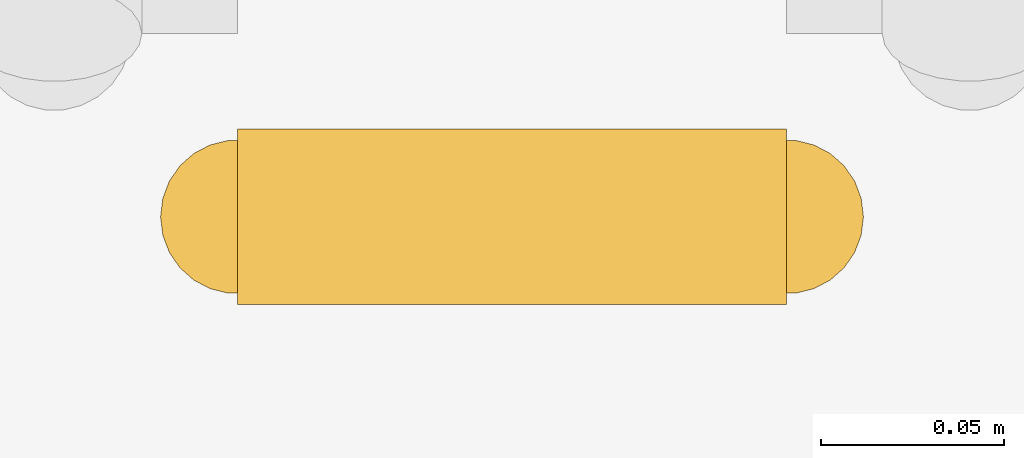
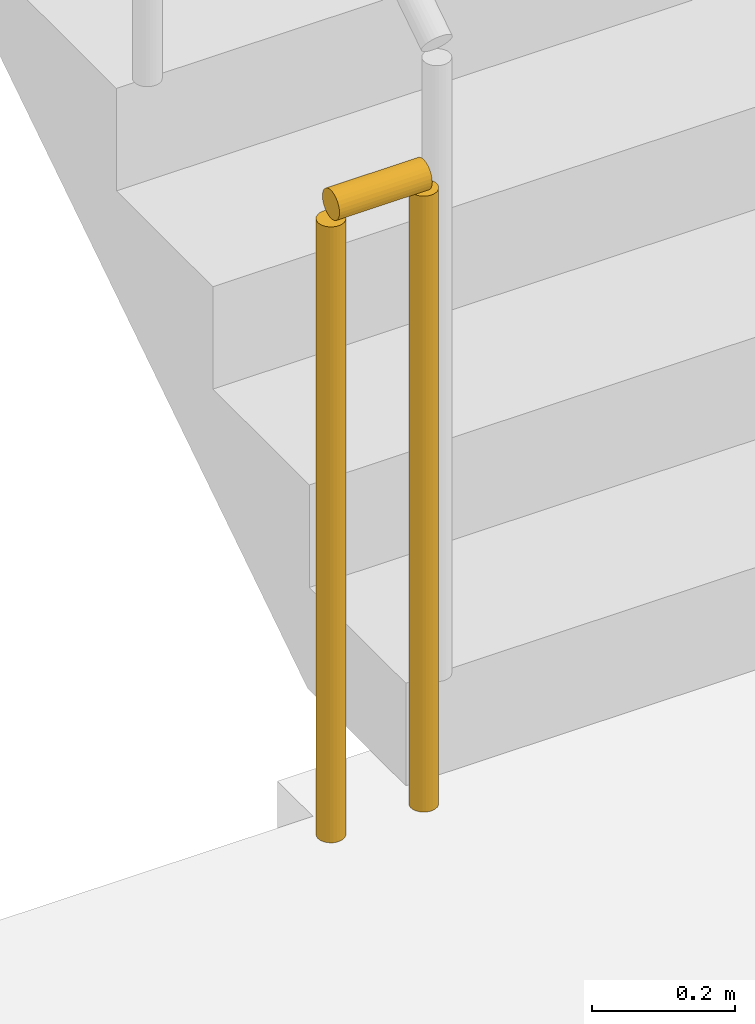
# One storey, part 16 of 19: 1 railing.
"""IFC4 building model written with IfcOpenShell, lengths in metres."""

import ifcopenshell
import ifcopenshell.guid

model = None  # the IFC model being written
_history = None  # IfcOwnerHistory: only IFC2X3 demands one
_inside = {}  # id of a spatial element -> (the spatial element, [elements in it])
_under = {}  # id of a project, library or spatial element -> (it, [spatial elements below it])
_declared = {}  # id of a project -> (the project, [libraries it declares])
_typed = {}  # id of a type object -> (the type object, [elements of that type])
_made_of = {}  # id of a material, layer set ... -> (it, [elements and type objects made of it])


def new_model(schema):
    """Start an empty IFC model of exactly this schema.

    Asked for "IFC4X3", IfcOpenShell would pick the latest addendum, in which some entities
    have other attributes; the version numbers below select the first issue.
    IFC2X3 requires an IfcOwnerHistory on every rooted entity: one is made here for all.
    """
    global model, _history
    if schema == "IFC4X3":
        model = ifcopenshell.file(schema_version=(4, 3, 0, 0))
    else:
        model = ifcopenshell.file(schema=schema)
    _inside.clear()
    _under.clear()
    _declared.clear()
    _typed.clear()
    _made_of.clear()
    _history = None
    if model.schema == "IFC2X3":
        org = make("IfcOrganization", Name="unknown")
        user = make(
            "IfcPersonAndOrganization",
            ThePerson=make("IfcPerson", FamilyName="unknown"),
            TheOrganization=org,
        )
        app = make(
            "IfcApplication",
            ApplicationDeveloper=org,
            Version="unknown",
            ApplicationFullName="unknown",
            ApplicationIdentifier="unknown",
        )
        _history = make(
            "IfcOwnerHistory",
            OwningUser=user,
            OwningApplication=app,
            ChangeAction="ADDED",
            CreationDate=0,
        )
    return model


def make(cls, **values):
    """One entity of the class cls with the attributes given. An attribute that is None is left unset."""
    return model.create_entity(
        cls, **{name: value for name, value in values.items() if value is not None}
    )


def rooted(cls, **values):
    """An entity with a GlobalId (a new one), such as an element, a storey or a relation."""
    return make(cls, GlobalId=ifcopenshell.guid.new(), OwnerHistory=_history, **values)


def si_unit(unit_type, name, prefix=None):
    """IfcSIUnit, for example si_unit("LENGTHUNIT", "METRE", prefix="MILLI")."""
    return make("IfcSIUnit", UnitType=unit_type, Prefix=prefix, Name=name)


def assignment(units):
    """IfcUnitAssignment: the units of a project."""
    return None if units is None else make("IfcUnitAssignment", Units=units)


def point(xyz):
    """IfcCartesianPoint."""
    return None if xyz is None else make("IfcCartesianPoint", Coordinates=xyz)


def direction(xyz):
    """IfcDirection."""
    return None if xyz is None else make("IfcDirection", DirectionRatios=xyz)


def frame(location, z_axis=None, x_axis=None):
    """IfcAxis2Placement3D, a coordinate frame: its origin and axes. An axis left out is left unset."""
    return make(
        "IfcAxis2Placement3D",
        Location=point(location),
        Axis=direction(z_axis),
        RefDirection=direction(x_axis),
    )


def frame_2d(location, x_axis=None):
    """IfcAxis2Placement2D, a coordinate frame in the plane: its origin and x axis."""
    return make(
        "IfcAxis2Placement2D", Location=point(location), RefDirection=direction(x_axis)
    )


def origin():
    """The frame at (0, 0, 0) with its axes left unset."""
    return frame((0.0, 0.0, 0.0))


def origin_2d():
    """The frame at (0, 0) in the plane with its x axis left unset."""
    return frame_2d((0.0, 0.0))


def place(relative_to, where):
    """IfcLocalPlacement: puts the frame where relative to a parent placement (None: the world)."""
    return make(
        "IfcLocalPlacement", PlacementRelTo=relative_to, RelativePlacement=where
    )


def context(
    kind, dimensions, precision=None, world=None, true_north=None, identifier=None
):
    """IfcGeometricRepresentationContext, for example the 3D "Model" context."""
    return make(
        "IfcGeometricRepresentationContext",
        ContextIdentifier=identifier,
        ContextType=kind,
        CoordinateSpaceDimension=dimensions,
        Precision=precision,
        WorldCoordinateSystem=world,
        TrueNorth=true_north,
    )


def subcontext(parent, identifier, kind, view, scale=None):
    """IfcGeometricRepresentationSubContext, for example "Body" below "Model"."""
    return make(
        "IfcGeometricRepresentationSubContext",
        ContextIdentifier=identifier,
        ContextType=kind,
        ParentContext=parent,
        TargetScale=scale,
        TargetView=view,
    )


def project(units=None, contexts=None):
    """IfcProject with its units and contexts."""
    return rooted(
        "IfcProject",
        Name="project",
        RepresentationContexts=contexts,
        UnitsInContext=assignment(units),
    )


def spatial(cls, under=None, at=None, **own):
    """A site, building, storey or space (cls), placed at a placement, below another one or the project."""
    s = rooted(cls, ObjectPlacement=at, **own)
    if under is not None:
        _under.setdefault(under.id(), (under, []))[1].append(s)
    return s


def profile(cls, at=None, kind="AREA", **sizes):
    """A parametric profile (cls). Its sizes go by their IFC names, for example OverallWidth=200.0."""
    return make(cls, ProfileType=kind, Position=at, **sizes)


def circle(**sizes):
    """IfcCircleProfileDef."""
    return profile("IfcCircleProfileDef", **sizes)


def extrude(swept, where, along, depth):
    """IfcExtrudedAreaSolid: the profile swept, set in the frame where, extruded along a direction by depth."""
    return make(
        "IfcExtrudedAreaSolid",
        SweptArea=swept,
        Position=where,
        ExtrudedDirection=direction(along),
        Depth=depth,
    )


def shape(context_of_items, identifier, shape_type, items):
    """IfcShapeRepresentation: the items that make up one representation, for example the "Body"."""
    return make(
        "IfcShapeRepresentation",
        ContextOfItems=context_of_items,
        RepresentationIdentifier=identifier,
        RepresentationType=shape_type,
        Items=items,
    )


def material(Name=None, Category=None):
    """IfcMaterial."""
    return make("IfcMaterial", Name=Name, Category=Category)


def made_of(thing, what):
    """Note that an element or type object is made of a material, layer set ...; save() writes the relation."""
    if what is not None:
        _made_of.setdefault(what.id(), (what, []))[1].append(thing)
    return thing


def type_object(cls, material=None, **own):
    """A type object (cls), such as IfcWallType, which elements share."""
    return made_of(rooted(cls, **own), material)


def element(
    cls,
    number,
    at=None,
    inside=None,
    cuts=None,
    type_object=None,
    material=None,
    context=None,
    identifier="Body",
    shape_type=None,
    held_by="IfcProductDefinitionShape",
    body=None,
    shapes=None,
    **own,
):
    """One element of the class cls, such as IfcWall. Its Tag is "e" and its number.

    at: its placement. inside: the storey or other place that contains it. cuts: it is an
    opening in that element (IfcRelVoidsElement). A single representation is given by context,
    identifier, shape_type and body (its items); several are given by shapes. held_by: the class
    of the entity that holds the representations. save() writes the other relations.
    """
    e = rooted(cls, Tag="e%d" % number, ObjectPlacement=at, **own)
    if body is not None:
        shapes = [shape(context, identifier, shape_type, body)]
    if shapes is not None:
        e.Representation = make(held_by, Representations=shapes)
    if inside is not None:
        _inside.setdefault(inside.id(), (inside, []))[1].append(e)
    if cuts is not None:
        rooted(
            "IfcRelVoidsElement", RelatingBuildingElement=cuts, RelatedOpeningElement=e
        )
    if type_object is not None:
        _typed.setdefault(type_object.id(), (type_object, []))[1].append(e)
    return made_of(e, material)


def aggregate(whole, parts):
    """IfcRelAggregates: a whole, such as a stair, and the parts it consists of."""
    return rooted("IfcRelAggregates", RelatingObject=whole, RelatedObjects=parts)


def save(model, path):
    """Write the relations noted so far, then the file.

    IfcRelAggregates (storeys below a building ...), IfcRelContainedInSpatialStructure (elements
    in a storey), IfcRelDefinesByType, IfcRelAssociatesMaterial and IfcRelDeclares: one each for
    every whole, place, type object, material and project.
    """
    for whole, parts in _under.values():
        aggregate(whole, parts)
    for where, things in _inside.values():
        rooted(
            "IfcRelContainedInSpatialStructure",
            RelatedElements=things,
            RelatingStructure=where,
        )
    for kind, things in _typed.values():
        rooted("IfcRelDefinesByType", RelatedObjects=things, RelatingType=kind)
    for what, things in _made_of.values():
        rooted("IfcRelAssociatesMaterial", RelatedObjects=things, RelatingMaterial=what)
    for by, libraries in _declared.values():
        rooted("IfcRelDeclares", RelatingContext=by, RelatedDefinitions=libraries)
    model.write(path)


model = new_model("IFC4")

# Units and contexts
model_context = context("Model", 3, precision=1e-05, world=origin(), true_north=direction((0.0, 1.0)))
body_context = subcontext(model_context, "Body", "Model", "MODEL_VIEW")
ifc_project = project(units=[si_unit("LENGTHUNIT", "METRE"), si_unit("AREAUNIT", "SQUARE_METRE"), si_unit("VOLUMEUNIT", "CUBIC_METRE"), si_unit("PLANEANGLEUNIT", "RADIAN"), si_unit("MASSUNIT", "GRAM", prefix="KILO")], contexts=[model_context])

# Site, building, storey
site_placement = place(None, origin())
site = spatial("IfcSite", under=ifc_project, at=site_placement, CompositionType="ELEMENT")
building_placement = place(site_placement, origin())
building = spatial("IfcBuilding", under=site, at=building_placement, Name="Saffron Iwan Residences", CompositionType="ELEMENT")
storey_placement = place(building_placement, frame((0.0, 0.0, 222.0)))
storey = spatial("IfcBuildingStorey", under=building, at=storey_placement, Name="L59", CompositionType="ELEMENT", Elevation=222.0)

# Railing
ifc_material = material(Name="Steel S355", Category="steel")
railing_type = type_object("IfcRailingType", Name="Stair guard 1100", PredefinedType="GUARDRAIL", material=ifc_material)
railing_placement = place(storey_placement, frame((69.699951171875, 67.800048828125, 0.0)))
element("IfcRailing", 1, at=railing_placement, inside=storey, type_object=railing_type, Name="L59 ST-E stair guard 2", PredefinedType="GUARDRAIL", context=body_context, shape_type="SweptSolid", body=[
    extrude(circle(Radius=0.02392578125, at=origin_2d()), frame((0.0, 0.0, 1.076171875), z_axis=(-1.0, 0.0, 0.0), x_axis=(0.0, -1.0, 0.0)), (0.0, 0.0, 1.0), 0.14990234375),
    extrude(circle(Radius=0.02099609375, at=origin_2d()), origin(), (0.0, 0.0, 1.0), 1.052001953125),
    extrude(circle(Radius=0.02099609375, at=origin_2d()), frame((-0.14990234375, 0.0, 0.0)), (0.0, 0.0, 1.0), 1.052001953125),
])

save(model, "model.ifc")
